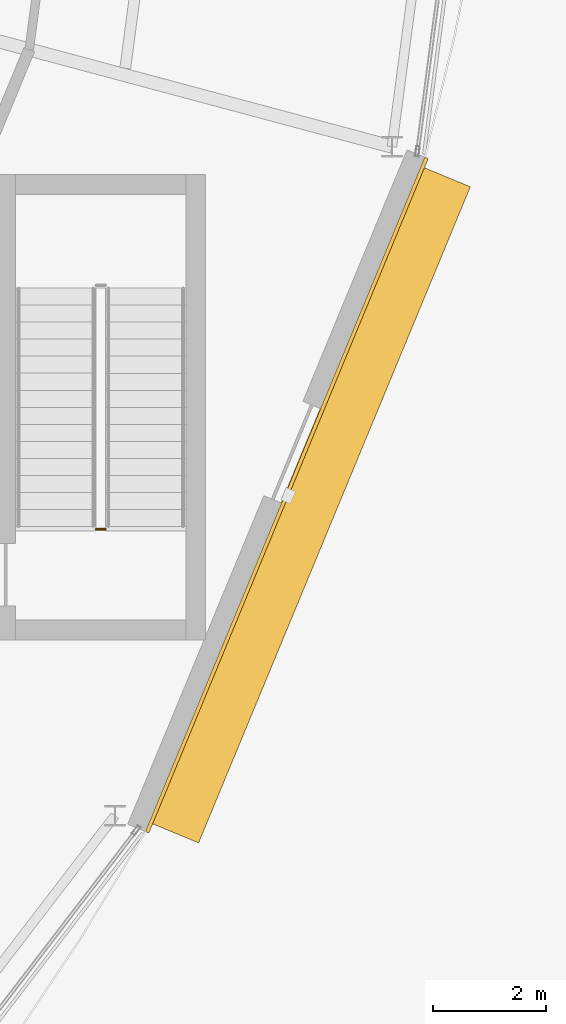
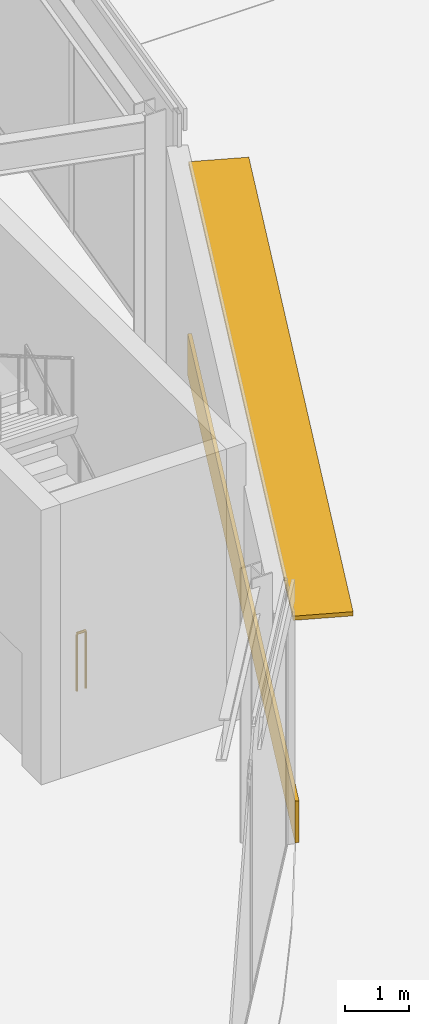
# One storey, part 148 of 168: 1 covering, 1 railing, 1 shading device.
"""IFC4 building model written with IfcOpenShell, lengths in metres."""

from ifc_helpers import new_model, si_unit, direction, frame, origin, origin_2d, place, context, subcontext, project, spatial, rectangle, circle, extrude, material, layer, layer_set, type_object, element, save


model = new_model("IFC4")

# Units and contexts
model_context = context("Model", 3, precision=1e-05, world=origin(), true_north=direction((0.0, 1.0)))
body_context = subcontext(model_context, "Body", "Model", "MODEL_VIEW")
ifc_project = project(units=[si_unit("LENGTHUNIT", "METRE"), si_unit("AREAUNIT", "SQUARE_METRE"), si_unit("VOLUMEUNIT", "CUBIC_METRE"), si_unit("PLANEANGLEUNIT", "RADIAN"), si_unit("MASSUNIT", "GRAM", prefix="KILO")], contexts=[model_context])

# Site, building, storey
site_placement = place(None, origin())
site = spatial("IfcSite", under=ifc_project, at=site_placement, CompositionType="ELEMENT")
building_placement = place(site_placement, origin())
building = spatial("IfcBuilding", under=site, at=building_placement, Name="Almandine Court Research Institute", CompositionType="ELEMENT")
storey_placement = place(building_placement, origin())
storey = spatial("IfcBuildingStorey", under=building, at=storey_placement, Name="L00", CompositionType="ELEMENT", Elevation=0.0)

# Covering
ifc_material_1 = material(Name="Honed Andean Red-Buff Sandstone Cladding", Category="masonry")
ifc_layer_1 = layer(ifc_material_1, 0.06494140625)
ifc_layer_set_1 = layer_set([ifc_layer_1], Name="Honed Andean Red-Buff Sandstone Cladding")
covering_type = type_object("IfcCoveringType", Name="Cov-CLAD-SAND", PredefinedType="CLADDING", material=ifc_layer_set_1)
covering_placement = place(storey_placement, frame((132.3798828125, 37.202880859375, 0.02001953125), z_axis=(0.0, 0.0, 1.0), x_axis=(-0.382683432365, -0.923879532511, 0.0)))
element("IfcCovering", 1, at=covering_placement, inside=storey, type_object=covering_type, Name="L00 Facade Spandrel Cladding Band 256", PredefinedType="CLADDING", context=body_context, shape_type="SweptSolid", body=[
    extrude(rectangle(XDim=12.868896484375, YDim=0.06494140625, at=origin_2d()), origin(), (0.0, 0.0, 1.0), 0.800048828125),
])

# Railing
ifc_material_2 = material(Name="Powder-Coated Steel Stair and Atrium Balustrade", Category="steel")
railing_type = type_object("IfcRailingType", Name="Rail-GUARD-INT", PredefinedType="BALUSTRADE", material=ifc_material_2)
railing_placement = place(storey_placement, frame((129.179931640625, 36.60009765625, 0.0)))
element("IfcRailing", 2, at=railing_placement, inside=storey, type_object=railing_type, Name="L00 ST-16 stair guard 4", PredefinedType="BALUSTRADE", context=body_context, shape_type="SweptSolid", body=[
    extrude(circle(Radius=0.02392578125, at=origin_2d()), frame((0.0, 0.0, 1.09619140625), z_axis=(-1.0, 0.0, 0.0), x_axis=(0.0, -1.0, 0.0)), (0.0, 0.0, 1.0), 0.159912109375),
    extrude(circle(Radius=0.02099609375, at=origin_2d()), origin(), (0.0, 0.0, 1.0), 1.072021484375),
    extrude(circle(Radius=0.02099609375, at=origin_2d()), frame((-0.159912109375, 0.0, 0.0)), (0.0, 0.0, 1.0), 1.072021484375),
])

# Shading device
ifc_material_3 = material(Name="Precast GFRC Chhajja Sunshade and Acoustic Louvre", Category="concrete")
ifc_layer_2 = layer(ifc_material_3, 0.080078125)
ifc_layer_set_2 = layer_set([ifc_layer_2], Name="Precast GFRC Chhajja Sunshade and Acoustic Louvre")
shading_device_type = type_object("IfcShadingDeviceType", Name="Shd-SD-67", PredefinedType="AWNING", material=ifc_layer_set_2)
shading_device_placement = place(storey_placement, frame((132.781005859375, 37.035888671875, 4.153076171875), z_axis=(0.0, 0.0, 1.0), x_axis=(-0.382683432365, -0.923879532511, 0.0)))
element("IfcShadingDevice", 3, at=shading_device_placement, inside=storey, type_object=shading_device_type, Name="L00 Projecting Chhajja Sunshade 176", PredefinedType="AWNING", context=body_context, shape_type="SweptSolid", body=[
    extrude(rectangle(XDim=12.51904296875, YDim=0.949951171875, at=origin_2d()), origin(), (0.0, 0.0, 1.0), 0.080078125),
])

save(model, "model.ifc")
